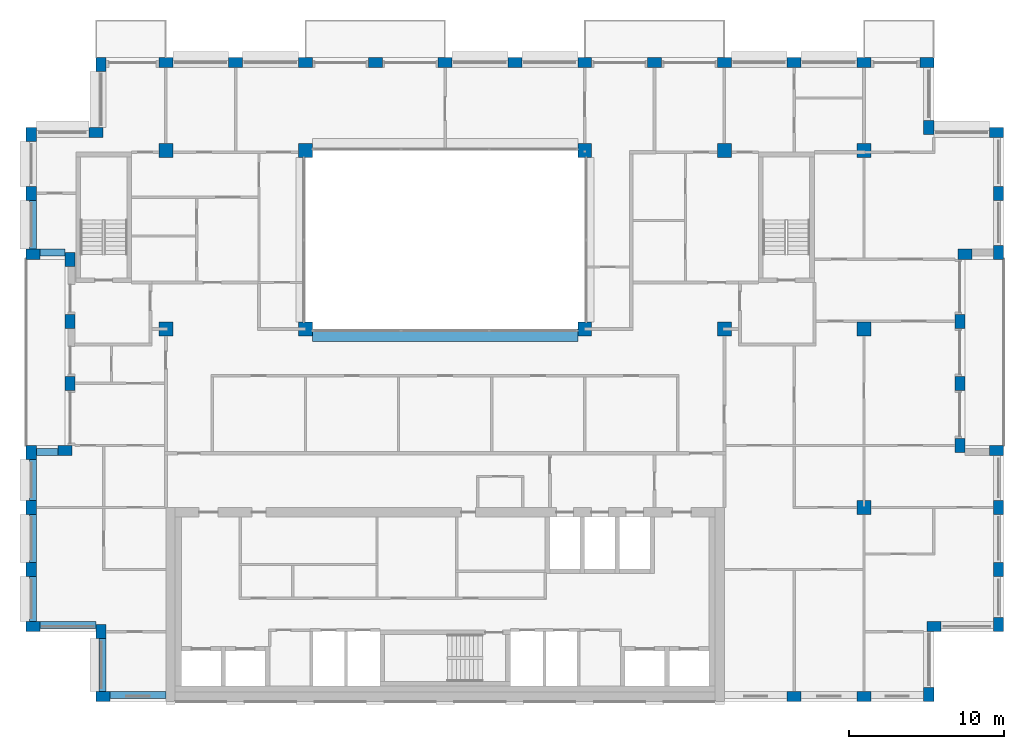
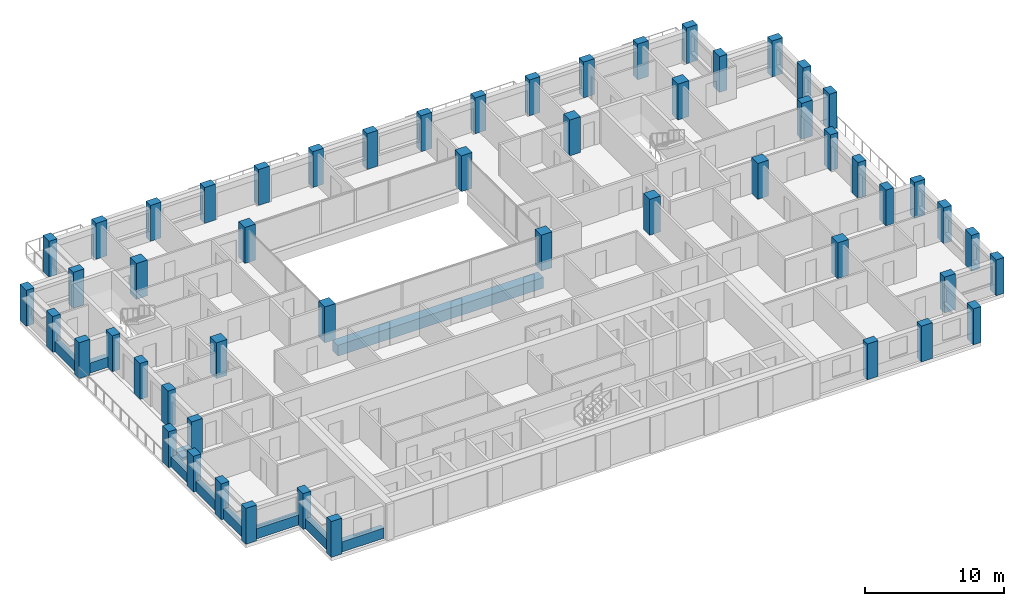
# One storey, part 1 of 16: 54 columns, 10 beams.
"""IFC4 building model written with IfcOpenShell, lengths in metres."""

import ifcopenshell
import ifcopenshell.guid

model = None  # the IFC model being written
_history = None  # IfcOwnerHistory: only IFC2X3 demands one
_inside = {}  # id of a spatial element -> (the spatial element, [elements in it])
_under = {}  # id of a project, library or spatial element -> (it, [spatial elements below it])
_declared = {}  # id of a project -> (the project, [libraries it declares])
_typed = {}  # id of a type object -> (the type object, [elements of that type])
_made_of = {}  # id of a material, layer set ... -> (it, [elements and type objects made of it])


def new_model(schema):
    """Start an empty IFC model of exactly this schema.

    Asked for "IFC4X3", IfcOpenShell would pick the latest addendum, in which some entities
    have other attributes; the version numbers below select the first issue.
    IFC2X3 requires an IfcOwnerHistory on every rooted entity: one is made here for all.
    """
    global model, _history
    if schema == "IFC4X3":
        model = ifcopenshell.file(schema_version=(4, 3, 0, 0))
    else:
        model = ifcopenshell.file(schema=schema)
    _inside.clear()
    _under.clear()
    _declared.clear()
    _typed.clear()
    _made_of.clear()
    _history = None
    if model.schema == "IFC2X3":
        org = make("IfcOrganization", Name="unknown")
        user = make(
            "IfcPersonAndOrganization",
            ThePerson=make("IfcPerson", FamilyName="unknown"),
            TheOrganization=org,
        )
        app = make(
            "IfcApplication",
            ApplicationDeveloper=org,
            Version="unknown",
            ApplicationFullName="unknown",
            ApplicationIdentifier="unknown",
        )
        _history = make(
            "IfcOwnerHistory",
            OwningUser=user,
            OwningApplication=app,
            ChangeAction="ADDED",
            CreationDate=0,
        )
    return model


def make(cls, **values):
    """One entity of the class cls with the attributes given. An attribute that is None is left unset."""
    return model.create_entity(
        cls, **{name: value for name, value in values.items() if value is not None}
    )


def rooted(cls, **values):
    """An entity with a GlobalId (a new one), such as an element, a storey or a relation."""
    return make(cls, GlobalId=ifcopenshell.guid.new(), OwnerHistory=_history, **values)


def si_unit(unit_type, name, prefix=None):
    """IfcSIUnit, for example si_unit("LENGTHUNIT", "METRE", prefix="MILLI")."""
    return make("IfcSIUnit", UnitType=unit_type, Prefix=prefix, Name=name)


def assignment(units):
    """IfcUnitAssignment: the units of a project."""
    return None if units is None else make("IfcUnitAssignment", Units=units)


def point(xyz):
    """IfcCartesianPoint."""
    return None if xyz is None else make("IfcCartesianPoint", Coordinates=xyz)


def direction(xyz):
    """IfcDirection."""
    return None if xyz is None else make("IfcDirection", DirectionRatios=xyz)


def frame(location, z_axis=None, x_axis=None):
    """IfcAxis2Placement3D, a coordinate frame: its origin and axes. An axis left out is left unset."""
    return make(
        "IfcAxis2Placement3D",
        Location=point(location),
        Axis=direction(z_axis),
        RefDirection=direction(x_axis),
    )


def frame_2d(location, x_axis=None):
    """IfcAxis2Placement2D, a coordinate frame in the plane: its origin and x axis."""
    return make(
        "IfcAxis2Placement2D", Location=point(location), RefDirection=direction(x_axis)
    )


def origin():
    """The frame at (0, 0, 0) with its axes left unset."""
    return frame((0.0, 0.0, 0.0))


def origin_2d():
    """The frame at (0, 0) in the plane with its x axis left unset."""
    return frame_2d((0.0, 0.0))


def place(relative_to, where):
    """IfcLocalPlacement: puts the frame where relative to a parent placement (None: the world)."""
    return make(
        "IfcLocalPlacement", PlacementRelTo=relative_to, RelativePlacement=where
    )


def context(
    kind, dimensions, precision=None, world=None, true_north=None, identifier=None
):
    """IfcGeometricRepresentationContext, for example the 3D "Model" context."""
    return make(
        "IfcGeometricRepresentationContext",
        ContextIdentifier=identifier,
        ContextType=kind,
        CoordinateSpaceDimension=dimensions,
        Precision=precision,
        WorldCoordinateSystem=world,
        TrueNorth=true_north,
    )


def subcontext(parent, identifier, kind, view, scale=None):
    """IfcGeometricRepresentationSubContext, for example "Body" below "Model"."""
    return make(
        "IfcGeometricRepresentationSubContext",
        ContextIdentifier=identifier,
        ContextType=kind,
        ParentContext=parent,
        TargetScale=scale,
        TargetView=view,
    )


def project(units=None, contexts=None):
    """IfcProject with its units and contexts."""
    return rooted(
        "IfcProject",
        Name="project",
        RepresentationContexts=contexts,
        UnitsInContext=assignment(units),
    )


def spatial(cls, under=None, at=None, **own):
    """A site, building, storey or space (cls), placed at a placement, below another one or the project."""
    s = rooted(cls, ObjectPlacement=at, **own)
    if under is not None:
        _under.setdefault(under.id(), (under, []))[1].append(s)
    return s


def profile(cls, at=None, kind="AREA", **sizes):
    """A parametric profile (cls). Its sizes go by their IFC names, for example OverallWidth=200.0."""
    return make(cls, ProfileType=kind, Position=at, **sizes)


def rectangle(**sizes):
    """IfcRectangleProfileDef."""
    return profile("IfcRectangleProfileDef", **sizes)


def extrude(swept, where, along, depth):
    """IfcExtrudedAreaSolid: the profile swept, set in the frame where, extruded along a direction by depth."""
    return make(
        "IfcExtrudedAreaSolid",
        SweptArea=swept,
        Position=where,
        ExtrudedDirection=direction(along),
        Depth=depth,
    )


def shape(context_of_items, identifier, shape_type, items):
    """IfcShapeRepresentation: the items that make up one representation, for example the "Body"."""
    return make(
        "IfcShapeRepresentation",
        ContextOfItems=context_of_items,
        RepresentationIdentifier=identifier,
        RepresentationType=shape_type,
        Items=items,
    )


def material(Name=None, Category=None):
    """IfcMaterial."""
    return make("IfcMaterial", Name=Name, Category=Category)


def material_profile(
    of_material, cross_section, Name=None, Category=None, Priority=None
):
    """IfcMaterialProfile: a cross section and its material."""
    return make(
        "IfcMaterialProfile",
        Name=Name,
        Material=of_material,
        Profile=cross_section,
        Priority=Priority,
        Category=Category,
    )


def profile_set(profiles, Name=None, composite=None):
    """IfcMaterialProfileSet."""
    return make(
        "IfcMaterialProfileSet",
        Name=Name,
        MaterialProfiles=profiles,
        CompositeProfile=composite,
    )


def made_of(thing, what):
    """Note that an element or type object is made of a material, layer set ...; save() writes the relation."""
    if what is not None:
        _made_of.setdefault(what.id(), (what, []))[1].append(thing)
    return thing


def type_object(cls, material=None, **own):
    """A type object (cls), such as IfcWallType, which elements share."""
    return made_of(rooted(cls, **own), material)


def element(
    cls,
    number,
    at=None,
    inside=None,
    cuts=None,
    type_object=None,
    material=None,
    context=None,
    identifier="Body",
    shape_type=None,
    held_by="IfcProductDefinitionShape",
    body=None,
    shapes=None,
    **own,
):
    """One element of the class cls, such as IfcWall. Its Tag is "e" and its number.

    at: its placement. inside: the storey or other place that contains it. cuts: it is an
    opening in that element (IfcRelVoidsElement). A single representation is given by context,
    identifier, shape_type and body (its items); several are given by shapes. held_by: the class
    of the entity that holds the representations. save() writes the other relations.
    """
    e = rooted(cls, Tag="e%d" % number, ObjectPlacement=at, **own)
    if body is not None:
        shapes = [shape(context, identifier, shape_type, body)]
    if shapes is not None:
        e.Representation = make(held_by, Representations=shapes)
    if inside is not None:
        _inside.setdefault(inside.id(), (inside, []))[1].append(e)
    if cuts is not None:
        rooted(
            "IfcRelVoidsElement", RelatingBuildingElement=cuts, RelatedOpeningElement=e
        )
    if type_object is not None:
        _typed.setdefault(type_object.id(), (type_object, []))[1].append(e)
    return made_of(e, material)


def aggregate(whole, parts):
    """IfcRelAggregates: a whole, such as a stair, and the parts it consists of."""
    return rooted("IfcRelAggregates", RelatingObject=whole, RelatedObjects=parts)


def save(model, path):
    """Write the relations noted so far, then the file.

    IfcRelAggregates (storeys below a building ...), IfcRelContainedInSpatialStructure (elements
    in a storey), IfcRelDefinesByType, IfcRelAssociatesMaterial and IfcRelDeclares: one each for
    every whole, place, type object, material and project.
    """
    for whole, parts in _under.values():
        aggregate(whole, parts)
    for where, things in _inside.values():
        rooted(
            "IfcRelContainedInSpatialStructure",
            RelatedElements=things,
            RelatingStructure=where,
        )
    for kind, things in _typed.values():
        rooted("IfcRelDefinesByType", RelatedObjects=things, RelatingType=kind)
    for what, things in _made_of.values():
        rooted("IfcRelAssociatesMaterial", RelatedObjects=things, RelatingMaterial=what)
    for by, libraries in _declared.values():
        rooted("IfcRelDeclares", RelatingContext=by, RelatedDefinitions=libraries)
    model.write(path)


model = new_model("IFC4")

# Units and contexts
model_context = context("Model", 3, precision=1e-05, world=origin(), true_north=direction((0.0, 1.0)))
body_context = subcontext(model_context, "Body", "Model", "MODEL_VIEW")
ifc_project = project(units=[si_unit("LENGTHUNIT", "METRE"), si_unit("AREAUNIT", "SQUARE_METRE"), si_unit("VOLUMEUNIT", "CUBIC_METRE"), si_unit("PLANEANGLEUNIT", "RADIAN"), si_unit("MASSUNIT", "GRAM", prefix="KILO")], contexts=[model_context])

# Site, building, storey
site_placement = place(None, origin())
site = spatial("IfcSite", under=ifc_project, at=site_placement, CompositionType="ELEMENT")
building_placement = place(site_placement, origin())
building = spatial("IfcBuilding", under=site, at=building_placement, Name="Brigalow Station Residences", CompositionType="ELEMENT")
storey_placement = place(building_placement, frame((0.0, 0.0, 204.300048828125)))
storey = spatial("IfcBuildingStorey", under=building, at=storey_placement, Name="L58", CompositionType="ELEMENT", Elevation=204.300048828125)

# Columns
ifc_material_1 = material(Name="Concrete C50", Category="concrete")
ifc_material_profile_1 = material_profile(ifc_material_1, rectangle(XDim=0.89990234375, YDim=0.89990234375, at=origin_2d()), Name="RC900x900")
ifc_profile_set_1 = profile_set([ifc_material_profile_1], Name="Concrete C50")
column_type_1 = type_object("IfcColumnType", Name="COLUMN 900x900 C50", PredefinedType="COLUMN", material=ifc_profile_set_1)
for number, where, z_axis, x_axis, name in (
    (1, (18.0, 24.0, 0.0), (0.0, 0.0, 1.0), (1.0, 0.0, 0.0), "COLUMN C2 L58"),
    (2, (27.0, 24.0, 0.0), (0.0, 0.0, 1.0), (1.0, 0.0, 0.0), "COLUMN C3 L58"),
    (3, (45.0, 24.0, 0.0), (0.0, 0.0, 1.0), (1.0, 0.0, 0.0), "COLUMN C5 L58"),
    (4, (54.0, 24.0, 0.0), (0.0, 0.0, 1.0), (1.0, 0.0, 0.0), "COLUMN C6 L58"),
    (5, (63.0, 24.0, 0.0), (0.0, 0.0, 1.0), (1.0, 0.0, 0.0), "COLUMN C7 L58"),
    (6, (18.0, 35.5, 0.0), (0.0, 0.0, 1.0), (1.0, 0.0, 0.0), "COLUMN D2 L58"),
    (7, (27.0, 35.5, 0.0), (0.0, 0.0, 1.0), (1.0, 0.0, 0.0), "COLUMN D3 L58"),
    (8, (45.0, 35.5, 0.0), (0.0, 0.0, 1.0), (1.0, 0.0, 0.0), "COLUMN D5 L58"),
    (9, (54.0, 35.5, 0.0), (0.0, 0.0, 1.0), (1.0, 0.0, 0.0), "COLUMN D6 L58"),
    (10, (63.0, 35.5, 0.0), (0.0, 0.0, 1.0), (1.0, 0.0, 0.0), "COLUMN D7 L58"),
    (11, (63.0, 12.5, 0.0), (0.0, 0.0, 1.0), (1.0, 0.0, 0.0), "COLUMN B7 L58"),
):
    element("IfcColumn", number, at=place(storey_placement, frame(where, z_axis=z_axis, x_axis=x_axis)), inside=storey, type_object=column_type_1, Name=name, PredefinedType="COLUMN", context=body_context, shape_type="SweptSolid", body=[
        extrude(rectangle(XDim=0.89990234375, YDim=0.89990234375, at=origin_2d()), origin(), (0.0, 0.0, 1.0), 3.14990234375),
    ])
ifc_material_2 = material(Name="Concrete C50", Category="concrete")
ifc_material_profile_2 = material_profile(ifc_material_2, rectangle(XDim=0.89990234375, YDim=0.64990234375, at=origin_2d()), Name="RC900x650")
ifc_profile_set_2 = profile_set([ifc_material_profile_2], Name="Concrete C50")
column_type_2 = type_object("IfcColumnType", Name="PIER 900x650 C50", PredefinedType="USERDEFINED", material=ifc_profile_set_2)
for number, where, z_axis, x_axis, name in (
    (12, (13.949951171875, 0.324951171875, 0.0), (0.0, 0.0, 1.0), (1.0, 0.0, 0.0), "PIER S-1 L58"),
    (13, (58.5, 0.324951171875, 0.0), (0.0, 0.0, 1.0), (1.0, 0.0, 0.0), "PIER S-11 L58"),
    (14, (63.0, 0.324951171875, 0.0), (0.0, 0.0, 1.0), (1.0, 0.0, 0.0), "PIER S-12 L58"),
    (15, (67.175048828125, 0.449951171875, 0.0), (0.0, 0.0, 1.0), (0.0, 1.0, 0.0), "PIER SE1-1 L58"),
    (16, (67.5, 4.824951171875, 0.0), (0.0, 0.0, 1.0), (1.0, 0.0, 0.0), "PIER SE2-1 L58"),
    (17, (71.675048828125, 4.949951171875, 0.0), (0.0, 0.0, 1.0), (0.0, 1.0, 0.0), "PIER E1-1 L58"),
    (18, (71.675048828125, 8.5, 0.0), (0.0, 0.0, 1.0), (0.0, 1.0, 0.0), "PIER E1-2 L58"),
    (19, (71.675048828125, 12.5, 0.0), (0.0, 0.0, 1.0), (0.0, 1.0, 0.0), "PIER E1-3 L58"),
    (20, (71.550048828125, 16.175048828125, 0.0), (0.0, 0.0, 1.0), (-1.0, 0.0, 0.0), "PIER EL1-1 L58"),
    (21, (69.175048828125, 16.5, 0.0), (0.0, 0.0, 1.0), (0.0, 1.0, 0.0), "PIER EL2-1 L58"),
    (22, (69.175048828125, 20.5, 0.0), (0.0, 0.0, 1.0), (0.0, 1.0, 0.0), "PIER EL2-2 L58"),
    (23, (69.175048828125, 24.5, 0.0), (0.0, 0.0, 1.0), (0.0, 1.0, 0.0), "PIER EL2-3 L58"),
    (24, (69.5, 28.824951171875, 0.0), (0.0, 0.0, 1.0), (1.0, 0.0, 0.0), "PIER EL3-1 L58"),
    (25, (71.675048828125, 28.949951171875, 0.0), (0.0, 0.0, 1.0), (0.0, 1.0, 0.0), "PIER E2-1 L58"),
    (26, (71.675048828125, 32.75, 0.0), (0.0, 0.0, 1.0), (0.0, 1.0, 0.0), "PIER E2-2 L58"),
    (27, (71.550048828125, 36.675048828125, 0.0), (0.0, 0.0, 1.0), (-1.0, 0.0, 0.0), "PIER NE1-1 L58"),
    (28, (67.175048828125, 37.0, 0.0), (0.0, 0.0, 1.0), (0.0, 1.0, 0.0), "PIER NE2-1 L58"),
    (29, (67.050048828125, 41.175048828125, 0.0), (0.0, 0.0, 1.0), (-1.0, 0.0, 0.0), "PIER N-1 L58"),
    (30, (63.0, 41.175048828125, 0.0), (0.0, 0.0, 1.0), (-1.0, 0.0, 0.0), "PIER N-2 L58"),
    (31, (58.5, 41.175048828125, 0.0), (0.0, 0.0, 1.0), (-1.0, 0.0, 0.0), "PIER N-3 L58"),
    (32, (54.0, 41.175048828125, 0.0), (0.0, 0.0, 1.0), (-1.0, 0.0, 0.0), "PIER N-4 L58"),
    (33, (49.5, 41.175048828125, 0.0), (0.0, 0.0, 1.0), (-1.0, 0.0, 0.0), "PIER N-5 L58"),
    (34, (45.0, 41.175048828125, 0.0), (0.0, 0.0, 1.0), (-1.0, 0.0, 0.0), "PIER N-6 L58"),
    (35, (40.5, 41.175048828125, 0.0), (0.0, 0.0, 1.0), (-1.0, 0.0, 0.0), "PIER N-7 L58"),
    (36, (36.0, 41.175048828125, 0.0), (0.0, 0.0, 1.0), (-1.0, 0.0, 0.0), "PIER N-8 L58"),
    (37, (31.5, 41.175048828125, 0.0), (0.0, 0.0, 1.0), (-1.0, 0.0, 0.0), "PIER N-9 L58"),
    (38, (27.0, 41.175048828125, 0.0), (0.0, 0.0, 1.0), (-1.0, 0.0, 0.0), "PIER N-10 L58"),
    (39, (22.5, 41.175048828125, 0.0), (0.0, 0.0, 1.0), (-1.0, 0.0, 0.0), "PIER N-11 L58"),
    (40, (18.0, 41.175048828125, 0.0), (0.0, 0.0, 1.0), (-1.0, 0.0, 0.0), "PIER N-12 L58"),
    (41, (13.824951171875, 41.050048828125, 0.0), (0.0, 0.0, 1.0), (0.0, -1.0, 0.0), "PIER NW1-1 L58"),
    (42, (13.5, 36.675048828125, 0.0), (0.0, 0.0, 1.0), (-1.0, 0.0, 0.0), "PIER NW2-1 L58"),
    (43, (9.324951171875, 36.550048828125, 0.0), (0.0, 0.0, 1.0), (0.0, -1.0, 0.0), "PIER W2-1 L58"),
    (44, (9.324951171875, 32.75, 0.0), (0.0, 0.0, 1.0), (0.0, -1.0, 0.0), "PIER W2-2 L58"),
    (45, (9.449951171875, 28.824951171875, 0.0), (0.0, 0.0, 1.0), (1.0, 0.0, 0.0), "PIER WL1-1 L58"),
    (46, (11.824951171875, 28.5, 0.0), (0.0, 0.0, 1.0), (0.0, -1.0, 0.0), "PIER WL2-1 L58"),
    (47, (11.824951171875, 24.5, 0.0), (0.0, 0.0, 1.0), (0.0, -1.0, 0.0), "PIER WL2-2 L58"),
    (48, (11.824951171875, 20.5, 0.0), (0.0, 0.0, 1.0), (0.0, -1.0, 0.0), "PIER WL2-3 L58"),
    (49, (11.5, 16.175048828125, 0.0), (0.0, 0.0, 1.0), (-1.0, 0.0, 0.0), "PIER WL3-1 L58"),
    (50, (9.324951171875, 16.050048828125, 0.0), (0.0, 0.0, 1.0), (0.0, -1.0, 0.0), "PIER W1-1 L58"),
    (51, (9.324951171875, 12.5, 0.0), (0.0, 0.0, 1.0), (0.0, -1.0, 0.0), "PIER W1-2 L58"),
    (52, (9.324951171875, 8.5, 0.0), (0.0, 0.0, 1.0), (0.0, -1.0, 0.0), "PIER W1-3 L58"),
    (53, (9.449951171875, 4.824951171875, 0.0), (0.0, 0.0, 1.0), (1.0, 0.0, 0.0), "PIER SW1-1 L58"),
    (54, (13.824951171875, 4.5, 0.0), (0.0, 0.0, 1.0), (0.0, -1.0, 0.0), "PIER SW2-1 L58"),
):
    element("IfcColumn", number, at=place(storey_placement, frame(where, z_axis=z_axis, x_axis=x_axis)), inside=storey, type_object=column_type_2, Name=name, ObjectType="PIER", PredefinedType="USERDEFINED", context=body_context, shape_type="SweptSolid", body=[
        extrude(rectangle(XDim=0.89990234375, YDim=0.64990234375, at=origin_2d()), origin(), (0.0, 0.0, 1.0), 3.14990234375),
    ])

# Beams
ifc_material_3 = material(Name="Concrete C65", Category="concrete")
ifc_material_profile_3 = material_profile(ifc_material_3, rectangle(XDim=0.800048828125, YDim=0.949951171875, at=origin_2d()), Name="RC800x950")
ifc_profile_set_3 = profile_set([ifc_material_profile_3], Name="Concrete C65")
beam_type_1 = type_object("IfcBeamType", Name="ATRIUM EDGE GIRDER OVER 13.5 M SPAN 800x950 C65", PredefinedType="BEAM", material=ifc_profile_set_3)
beam_1_placement = place(storey_placement, frame((27.449951171875, 23.60009765625, -0.795166015625), z_axis=(1.0, 0.0, 0.0), x_axis=(0.0, 1.0, 0.0)))
element("IfcBeam", 55, at=beam_1_placement, inside=storey, type_object=beam_type_1, Name="ATRIUM EDGE GIRDER C L58", PredefinedType="BEAM", context=body_context, shape_type="SweptSolid", body=[
    extrude(rectangle(XDim=0.800048828125, YDim=0.949951171875, at=origin_2d()), origin(), (0.0, 0.0, 1.0), 17.10009765625),
])
ifc_material_4 = material(Name="Concrete C50", Category="concrete")
ifc_material_profile_4 = material_profile(ifc_material_4, rectangle(XDim=0.449951171875, YDim=0.89990234375, at=origin_2d()), Name="RC450x900")
ifc_profile_set_4 = profile_set([ifc_material_profile_4], Name="Concrete C50")
beam_type_2 = type_object("IfcBeamType", Name="SPANDREL BEAM 450x900 C50", PredefinedType="SPANDREL", material=ifc_profile_set_4)
beam_2_placement = place(storey_placement, frame((14.39990234375, 0.425048828125, 0.449951171875), z_axis=(1.0, 0.0, 0.0), x_axis=(0.0, 1.0, 0.0)))
element("IfcBeam", 56, at=beam_2_placement, inside=storey, type_object=beam_type_2, Name="L58/spandrel/W-L58-1", PredefinedType="SPANDREL", context=body_context, shape_type="SweptSolid", body=[
    extrude(rectangle(XDim=0.449951171875, YDim=0.89990234375, at=origin_2d()), origin(), (0.0, 0.0, 1.0), 3.60009765625),
])
beam_3_placement = place(storey_placement, frame((9.425048828125, 32.300048828125, 0.449951171875), z_axis=(0.0, -1.0, 0.0), x_axis=(1.0, 0.0, 0.0)))
element("IfcBeam", 57, at=beam_3_placement, inside=storey, type_object=beam_type_2, Name="L58/spandrel/W-L58-35", PredefinedType="SPANDREL", context=body_context, shape_type="SweptSolid", body=[
    extrude(rectangle(XDim=0.449951171875, YDim=0.89990234375, at=origin_2d()), origin(), (0.0, 0.0, 1.0), 3.150146484375),
])
beam_4_placement = place(storey_placement, frame((9.89990234375, 28.925048828125, 0.449951171875), z_axis=(1.0, 0.0, 0.0), x_axis=(0.0, 1.0, 0.0)))
element("IfcBeam", 58, at=beam_4_placement, inside=storey, type_object=beam_type_2, Name="L58/spandrel/W-L58-36", PredefinedType="SPANDREL", context=body_context, shape_type="SweptSolid", body=[
    extrude(rectangle(XDim=0.449951171875, YDim=0.89990234375, at=origin_2d()), origin(), (0.0, 0.0, 1.0), 1.60009765625),
])
beam_5_placement = place(storey_placement, frame((11.050048828125, 16.074951171875, 0.449951171875), z_axis=(-1.0, 0.0, 0.0), x_axis=(0.0, -1.0, 0.0)))
element("IfcBeam", 59, at=beam_5_placement, inside=storey, type_object=beam_type_2, Name="L58/spandrel/W-L58-40", PredefinedType="SPANDREL", context=body_context, shape_type="SweptSolid", body=[
    extrude(rectangle(XDim=0.449951171875, YDim=0.89990234375, at=origin_2d()), origin(), (0.0, 0.0, 1.0), 1.400146484375),
])
beam_6_placement = place(storey_placement, frame((9.425048828125, 15.60009765625, 0.449951171875), z_axis=(0.0, -1.0, 0.0), x_axis=(1.0, 0.0, 0.0)))
element("IfcBeam", 60, at=beam_6_placement, inside=storey, type_object=beam_type_2, Name="L58/spandrel/W-L58-41", PredefinedType="SPANDREL", context=body_context, shape_type="SweptSolid", body=[
    extrude(rectangle(XDim=0.449951171875, YDim=0.89990234375, at=origin_2d()), origin(), (0.0, 0.0, 1.0), 2.650146484375),
])
beam_7_placement = place(storey_placement, frame((9.425048828125, 12.050048828125, 0.449951171875), z_axis=(0.0, -1.0, 0.0), x_axis=(1.0, 0.0, 0.0)))
element("IfcBeam", 61, at=beam_7_placement, inside=storey, type_object=beam_type_2, Name="L58/spandrel/W-L58-42", PredefinedType="SPANDREL", context=body_context, shape_type="SweptSolid", body=[
    extrude(rectangle(XDim=0.449951171875, YDim=0.89990234375, at=origin_2d()), origin(), (0.0, 0.0, 1.0), 3.10009765625),
])
beam_8_placement = place(storey_placement, frame((9.425048828125, 8.050048828125, 0.449951171875), z_axis=(0.0, -1.0, 0.0), x_axis=(1.0, 0.0, 0.0)))
element("IfcBeam", 62, at=beam_8_placement, inside=storey, type_object=beam_type_2, Name="L58/spandrel/W-L58-43", PredefinedType="SPANDREL", context=body_context, shape_type="SweptSolid", body=[
    extrude(rectangle(XDim=0.449951171875, YDim=0.89990234375, at=origin_2d()), origin(), (0.0, 0.0, 1.0), 2.900146484375),
])
beam_9_placement = place(storey_placement, frame((9.89990234375, 4.925048828125, 0.449951171875), z_axis=(1.0, 0.0, 0.0), x_axis=(0.0, 1.0, 0.0)))
element("IfcBeam", 63, at=beam_9_placement, inside=storey, type_object=beam_type_2, Name="L58/spandrel/W-L58-44", PredefinedType="SPANDREL", context=body_context, shape_type="SweptSolid", body=[
    extrude(rectangle(XDim=0.449951171875, YDim=0.89990234375, at=origin_2d()), origin(), (0.0, 0.0, 1.0), 3.60009765625),
])
beam_10_placement = place(storey_placement, frame((13.925048828125, 4.050048828125, 0.449951171875), z_axis=(0.0, -1.0, 0.0), x_axis=(1.0, 0.0, 0.0)))
element("IfcBeam", 64, at=beam_10_placement, inside=storey, type_object=beam_type_2, Name="L58/spandrel/W-L58-45", PredefinedType="SPANDREL", context=body_context, shape_type="SweptSolid", body=[
    extrude(rectangle(XDim=0.449951171875, YDim=0.89990234375, at=origin_2d()), origin(), (0.0, 0.0, 1.0), 3.400146484375),
])

save(model, "model.ifc")
